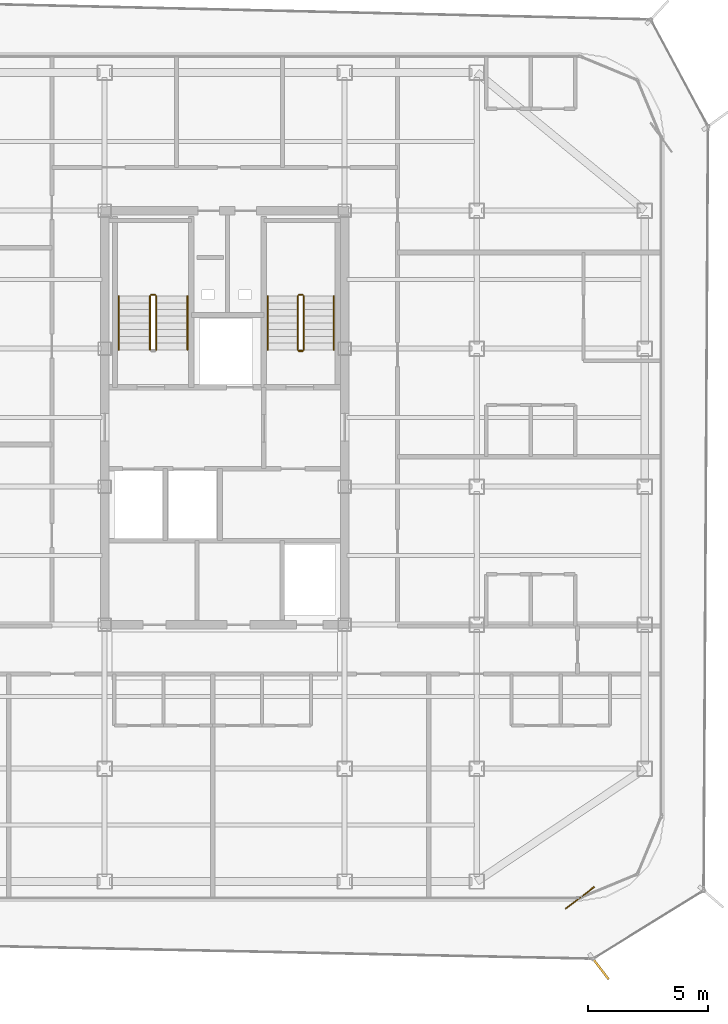
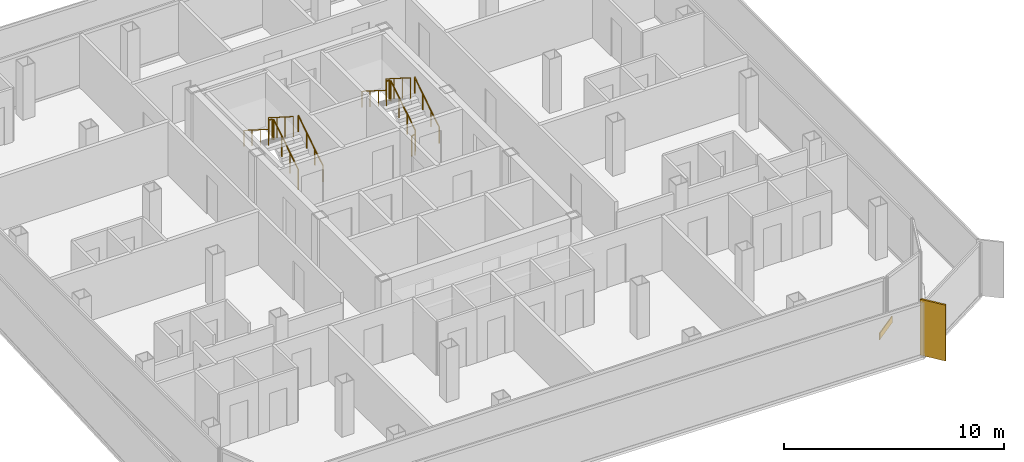
# One storey, part 15 of 16: 11 railings, 1 covering, 1 shading device.
"""IFC4 building model written with IfcOpenShell, lengths in metres."""

from ifc_helpers import new_model, si_unit, direction, frame, origin, origin_2d, place, context, subcontext, project, spatial, rectangle, circle, extrude, source, transform, mapped, material, layer, layer_set, type_object, element, save


model = new_model("IFC4")

# Units and contexts
model_context = context("Model", 3, precision=1e-05, world=origin(), true_north=direction((0.0, 1.0)))
body_context = subcontext(model_context, "Body", "Model", "MODEL_VIEW")
ifc_project = project(units=[si_unit("LENGTHUNIT", "METRE"), si_unit("AREAUNIT", "SQUARE_METRE"), si_unit("VOLUMEUNIT", "CUBIC_METRE"), si_unit("PLANEANGLEUNIT", "RADIAN"), si_unit("MASSUNIT", "GRAM", prefix="KILO")], contexts=[model_context])

# Site, building, storey
site_placement = place(None, origin())
site = spatial("IfcSite", under=ifc_project, at=site_placement, CompositionType="ELEMENT")
building_placement = place(site_placement, origin())
building = spatial("IfcBuilding", under=site, at=building_placement, Name="Kolveth Station Tower", CompositionType="ELEMENT")
storey_placement = place(building_placement, frame((0.0, 0.0, 232.89990234375)))
storey = spatial("IfcBuildingStorey", under=building, at=storey_placement, Name="L66", CompositionType="ELEMENT", Elevation=232.89990234375)

# Railings
ifc_material_1 = material(Name="Painted Steel S355 balustrade", Category="steel")
railing_type_1 = type_object("IfcRailingType", Name="Guard_GR2", PredefinedType="BALUSTRADE", material=ifc_material_1)
railing_1_placement = place(storey_placement, frame((20.64990234375, 22.949951171875, 0.177978515625)))
element("IfcRailing", 1, at=railing_1_placement, inside=storey, type_object=railing_type_1, Name="L66 ST1 stair guard 1", PredefinedType="BALUSTRADE", context=body_context, shape_type="SweptSolid", body=[
    extrude(circle(Radius=0.02392578125, at=origin_2d()), frame((0.0, 0.0, 1.1259765625), z_axis=(0.0, 0.8442293374, 0.53598211339), x_axis=(-1.0, 0.0, 0.0)), (0.0, 0.0, 1.0), 2.6533203125),
    extrude(circle(Radius=0.02099609375, at=origin_2d()), origin(), (0.0, 0.0, 1.0), 1.101806640625),
    extrude(circle(Radius=0.02099609375, at=origin_2d()), frame((0.0, 0.74658203125, 0.47412109375)), (0.0, 0.0, 1.0), 1.101806640625),
    extrude(circle(Radius=0.02099609375, at=origin_2d()), frame((0.0, 1.493408203125, 0.947998046875)), (0.0, 0.0, 1.0), 1.101806640625),
    extrude(circle(Radius=0.02099609375, at=origin_2d()), frame((0.0, 2.239990234375, 1.422119140625)), (0.0, 0.0, 1.0), 1.101806640625),
])
railing_2_placement = place(storey_placement, frame((20.60009765625, 25.239990234375, 1.60009765625)))
element("IfcRailing", 2, at=railing_2_placement, inside=storey, type_object=railing_type_1, Name="L66 ST1 stair guard 2", PredefinedType="BALUSTRADE", context=body_context, shape_type="SweptSolid", body=[
    extrude(circle(Radius=0.02392578125, at=origin_2d()), frame((0.0, 0.0, 1.1259765625), z_axis=(-1.0, 0.0, 0.0), x_axis=(0.0, -1.0, 0.0)), (0.0, 0.0, 1.0), 0.16015625),
    extrude(circle(Radius=0.02099609375, at=origin_2d()), origin(), (0.0, 0.0, 1.0), 1.101806640625),
    extrude(circle(Radius=0.02099609375, at=origin_2d()), frame((-0.16015625, 0.0, 0.0)), (0.0, 0.0, 1.0), 1.101806640625),
])
railing_3_placement = place(storey_placement, frame((20.389892578125, 25.18994140625, 1.77783203125)))
element("IfcRailing", 3, at=railing_3_placement, inside=storey, type_object=railing_type_1, Name="L66 ST1 stair guard 3", PredefinedType="BALUSTRADE", context=body_context, shape_type="SweptSolid", body=[
    extrude(circle(Radius=0.02392578125, at=origin_2d()), frame((0.0, 0.0, 1.1259765625), z_axis=(0.0, -0.84418770128, 0.536047689118), x_axis=(1.0, 0.0, 0.0)), (0.0, 0.0, 1.0), 2.6533203125),
    extrude(circle(Radius=0.02099609375, at=origin_2d()), origin(), (0.0, 0.0, 1.0), 1.101806640625),
    extrude(circle(Radius=0.02099609375, at=origin_2d()), frame((0.0, -0.74658203125, 0.47412109375)), (0.0, 0.0, 1.0), 1.101806640625),
    extrude(circle(Radius=0.02099609375, at=origin_2d()), frame((0.0, -1.493408203125, 0.9482421875)), (0.0, 0.0, 1.0), 1.101806640625),
    extrude(circle(Radius=0.02099609375, at=origin_2d()), frame((0.0, -2.239990234375, 1.42236328125)), (0.0, 0.0, 1.0), 1.101806640625),
])
railing_4_placement = place(storey_placement, frame((26.800048828125, 22.949951171875, 0.177978515625)))
element("IfcRailing", 4, at=railing_4_placement, inside=storey, type_object=railing_type_1, Name="L66 ST2 stair guard 1", PredefinedType="BALUSTRADE", context=body_context, shape_type="SweptSolid", body=[
    extrude(circle(Radius=0.02392578125, at=origin_2d()), frame((0.0, 0.0, 1.1259765625), z_axis=(0.0, 0.8442293374, 0.53598211339), x_axis=(-1.0, 0.0, 0.0)), (0.0, 0.0, 1.0), 2.6533203125),
    extrude(circle(Radius=0.02099609375, at=origin_2d()), origin(), (0.0, 0.0, 1.0), 1.101806640625),
    extrude(circle(Radius=0.02099609375, at=origin_2d()), frame((0.0, 0.74658203125, 0.47412109375)), (0.0, 0.0, 1.0), 1.101806640625),
    extrude(circle(Radius=0.02099609375, at=origin_2d()), frame((0.0, 1.493408203125, 0.947998046875)), (0.0, 0.0, 1.0), 1.101806640625),
    extrude(circle(Radius=0.02099609375, at=origin_2d()), frame((0.0, 2.239990234375, 1.422119140625)), (0.0, 0.0, 1.0), 1.101806640625),
])
railing_5_placement = place(storey_placement, frame((26.75, 25.239990234375, 1.60009765625)))
element("IfcRailing", 5, at=railing_5_placement, inside=storey, type_object=railing_type_1, Name="L66 ST2 stair guard 2", PredefinedType="BALUSTRADE", context=body_context, shape_type="SweptSolid", body=[
    extrude(circle(Radius=0.02392578125, at=origin_2d()), frame((0.0, 0.0, 1.1259765625), z_axis=(-1.0, 0.0, 0.0), x_axis=(0.0, -1.0, 0.0)), (0.0, 0.0, 1.0), 0.159912109375),
    extrude(circle(Radius=0.02099609375, at=origin_2d()), origin(), (0.0, 0.0, 1.0), 1.101806640625),
    extrude(circle(Radius=0.02099609375, at=origin_2d()), frame((-0.159912109375, 0.0, 0.0)), (0.0, 0.0, 1.0), 1.101806640625),
])
railing_6_placement = place(storey_placement, frame((26.5400390625, 25.18994140625, 1.77783203125)))
element("IfcRailing", 6, at=railing_6_placement, inside=storey, type_object=railing_type_1, Name="L66 ST2 stair guard 3", PredefinedType="BALUSTRADE", context=body_context, shape_type="SweptSolid", body=[
    extrude(circle(Radius=0.02392578125, at=origin_2d()), frame((0.0, 0.0, 1.1259765625), z_axis=(0.0, -0.84418770128, 0.536047689118), x_axis=(1.0, 0.0, 0.0)), (0.0, 0.0, 1.0), 2.6533203125),
    extrude(circle(Radius=0.02099609375, at=origin_2d()), origin(), (0.0, 0.0, 1.0), 1.101806640625),
    extrude(circle(Radius=0.02099609375, at=origin_2d()), frame((0.0, -0.74658203125, 0.47412109375)), (0.0, 0.0, 1.0), 1.101806640625),
    extrude(circle(Radius=0.02099609375, at=origin_2d()), frame((0.0, -1.493408203125, 0.9482421875)), (0.0, 0.0, 1.0), 1.101806640625),
    extrude(circle(Radius=0.02099609375, at=origin_2d()), frame((0.0, -2.239990234375, 1.42236328125)), (0.0, 0.0, 1.0), 1.101806640625),
])
railing_7_placement = place(storey_placement, frame((26.75, 22.89990234375, 0.0)))
element("IfcRailing", 7, at=railing_7_placement, inside=storey, type_object=railing_type_1, Name="L66 ST2 stair guard 4", PredefinedType="BALUSTRADE", context=body_context, shape_type="SweptSolid", body=[
    extrude(circle(Radius=0.02392578125, at=origin_2d()), frame((0.0, 0.0, 1.1259765625), z_axis=(-1.0, 0.0, 0.0), x_axis=(0.0, -1.0, 0.0)), (0.0, 0.0, 1.0), 0.159912109375),
    extrude(circle(Radius=0.02099609375, at=origin_2d()), origin(), (0.0, 0.0, 1.0), 1.101806640625),
    extrude(circle(Radius=0.02099609375, at=origin_2d()), frame((-0.159912109375, 0.0, 0.0)), (0.0, 0.0, 1.0), 1.101806640625),
])
ifc_material_2 = material(Name="Brushed stainless steel", Category="steel")
railing_type_2 = type_object("IfcRailingType", Name="Handrail_HR1", PredefinedType="HANDRAIL", material=ifc_material_2)
railing_8_placement = place(storey_placement, frame((21.949951171875, 22.949951171875, 0.177978515625)))
element("IfcRailing", 8, at=railing_8_placement, inside=storey, type_object=railing_type_2, Name="L66 ST1 stair handrail 1", PredefinedType="HANDRAIL", context=body_context, shape_type="SweptSolid", body=[
    extrude(circle(Radius=0.02392578125, at=origin_2d()), frame((0.0, 0.0, 0.8759765625), z_axis=(0.0, 0.8442293374, 0.53598211339), x_axis=(-1.0, 0.0, 0.0)), (0.0, 0.0, 1.0), 2.6533203125),
    extrude(circle(Radius=0.02099609375, at=origin_2d()), origin(), (0.0, 0.0, 1.0), 0.851806640625),
    extrude(circle(Radius=0.02099609375, at=origin_2d()), frame((0.0, 0.74658203125, 0.47412109375)), (0.0, 0.0, 1.0), 0.851806640625),
    extrude(circle(Radius=0.02099609375, at=origin_2d()), frame((0.0, 1.493408203125, 0.947998046875)), (0.0, 0.0, 1.0), 0.851806640625),
    extrude(circle(Radius=0.02099609375, at=origin_2d()), frame((0.0, 2.239990234375, 1.422119140625)), (0.0, 0.0, 1.0), 0.851806640625),
])
railing_9_placement = place(storey_placement, frame((19.090087890625, 25.18994140625, 1.77783203125)))
element("IfcRailing", 9, at=railing_9_placement, inside=storey, type_object=railing_type_2, Name="L66 ST1 stair handrail 2", PredefinedType="HANDRAIL", context=body_context, shape_type="SweptSolid", body=[
    extrude(circle(Radius=0.02392578125, at=origin_2d()), frame((0.0, 0.0, 0.8759765625), z_axis=(0.0, -0.84418770128, 0.536047689118), x_axis=(1.0, 0.0, 0.0)), (0.0, 0.0, 1.0), 2.6533203125),
    extrude(circle(Radius=0.02099609375, at=origin_2d()), origin(), (0.0, 0.0, 1.0), 0.851806640625),
    extrude(circle(Radius=0.02099609375, at=origin_2d()), frame((0.0, -0.74658203125, 0.47412109375)), (0.0, 0.0, 1.0), 0.851806640625),
    extrude(circle(Radius=0.02099609375, at=origin_2d()), frame((0.0, -1.493408203125, 0.9482421875)), (0.0, 0.0, 1.0), 0.851806640625),
    extrude(circle(Radius=0.02099609375, at=origin_2d()), frame((0.0, -2.239990234375, 1.42236328125)), (0.0, 0.0, 1.0), 0.851806640625),
])
railing_10_placement = place(storey_placement, frame((28.050048828125, 22.949951171875, 0.177978515625)))
element("IfcRailing", 10, at=railing_10_placement, inside=storey, type_object=railing_type_2, Name="L66 ST2 stair handrail 1", PredefinedType="HANDRAIL", context=body_context, shape_type="SweptSolid", body=[
    extrude(circle(Radius=0.02392578125, at=origin_2d()), frame((0.0, 0.0, 0.8759765625), z_axis=(0.0, 0.8442293374, 0.53598211339), x_axis=(-1.0, 0.0, 0.0)), (0.0, 0.0, 1.0), 2.6533203125),
    extrude(circle(Radius=0.02099609375, at=origin_2d()), origin(), (0.0, 0.0, 1.0), 0.851806640625),
    extrude(circle(Radius=0.02099609375, at=origin_2d()), frame((0.0, 0.74658203125, 0.47412109375)), (0.0, 0.0, 1.0), 0.851806640625),
    extrude(circle(Radius=0.02099609375, at=origin_2d()), frame((0.0, 1.493408203125, 0.947998046875)), (0.0, 0.0, 1.0), 0.851806640625),
    extrude(circle(Radius=0.02099609375, at=origin_2d()), frame((0.0, 2.239990234375, 1.422119140625)), (0.0, 0.0, 1.0), 0.851806640625),
])
railing_11_placement = place(storey_placement, frame((25.2900390625, 25.18994140625, 1.77783203125)))
element("IfcRailing", 11, at=railing_11_placement, inside=storey, type_object=railing_type_2, Name="L66 ST2 stair handrail 2", PredefinedType="HANDRAIL", context=body_context, shape_type="SweptSolid", body=[
    extrude(circle(Radius=0.02392578125, at=origin_2d()), frame((0.0, 0.0, 0.8759765625), z_axis=(0.0, -0.84418770128, 0.536047689118), x_axis=(1.0, 0.0, 0.0)), (0.0, 0.0, 1.0), 2.6533203125),
    extrude(circle(Radius=0.02099609375, at=origin_2d()), origin(), (0.0, 0.0, 1.0), 0.851806640625),
    extrude(circle(Radius=0.02099609375, at=origin_2d()), frame((0.0, -0.74658203125, 0.47412109375)), (0.0, 0.0, 1.0), 0.851806640625),
    extrude(circle(Radius=0.02099609375, at=origin_2d()), frame((0.0, -1.493408203125, 0.9482421875)), (0.0, 0.0, 1.0), 0.851806640625),
    extrude(circle(Radius=0.02099609375, at=origin_2d()), frame((0.0, -2.239990234375, 1.42236328125)), (0.0, 0.0, 1.0), 0.851806640625),
])

# Shading device
ifc_material_3 = material(Name="Black anodized aluminium 6063-T6", Category="aluminium")
shading_device_type = type_object("IfcShadingDeviceType", Name="FIN_VF1", PredefinedType="USERDEFINED", material=ifc_material_3)
shared_shape_1 = source(origin(), body_context, "Body", "SweptSolid", [
    extrude(rectangle(XDim=1.25, YDim=0.090087890625, at=origin_2d()), origin(), (0.0, 0.0, 1.0), 3.10009765625),
])
shading_device_placement = place(storey_placement, frame((39.117919921875, -2.778076171875, 0.0), z_axis=(0.0, 0.0, 1.0), x_axis=(0.607375839723, -0.794414620535, 0.0)))
element("IfcShadingDevice", 12, at=shading_device_placement, inside=storey, type_object=shading_device_type, Name="L66 Dark-Aluminium Solar Fin 1", ObjectType="FIN", PredefinedType="USERDEFINED", context=body_context, shape_type="MappedRepresentation", body=[
    mapped(shared_shape_1, transform((0.0, 0.0, 0.0), x_axis=(1.0, 0.0, 0.0), y_axis=(0.0, 1.0, 0.0), z_axis=(0.0, 0.0, 1.0), scale=1.0)),
])

# Covering
ifc_material_4 = material(Name="Charcoal anodized aluminium spandrel cladding", Category="aluminium")
ifc_layer = layer(ifc_material_4, 0.044921875)
ifc_layer_set = layer_set([ifc_layer], Name="Charcoal anodized aluminium spandrel cladding")
covering_type = type_object("IfcCoveringType", Name="Clad_CD1", PredefinedType="CLADDING", material=ifc_layer_set)
shared_shape_2 = source(origin(), body_context, "Body", "SweptSolid", [
    extrude(rectangle(XDim=1.5, YDim=0.044921875, at=origin_2d()), origin(), (0.0, 0.0, 1.0), 0.360107421875),
])
covering_placement = place(storey_placement, frame((38.300048828125, 0.1201171875, 0.0), z_axis=(0.0, 0.0, 1.0), x_axis=(0.794414620535, 0.607375839723, 0.0)))
element("IfcCovering", 13, at=covering_placement, inside=storey, type_object=covering_type, Name="L66 Spandrel Edge Cladding 1", PredefinedType="CLADDING", context=body_context, shape_type="MappedRepresentation", body=[
    mapped(shared_shape_2, transform((0.0, 0.0, 0.0), x_axis=(1.0, 0.0, 0.0), y_axis=(0.0, 1.0, 0.0), z_axis=(0.0, 0.0, 1.0), scale=1.0)),
])

save(model, "model.ifc")
